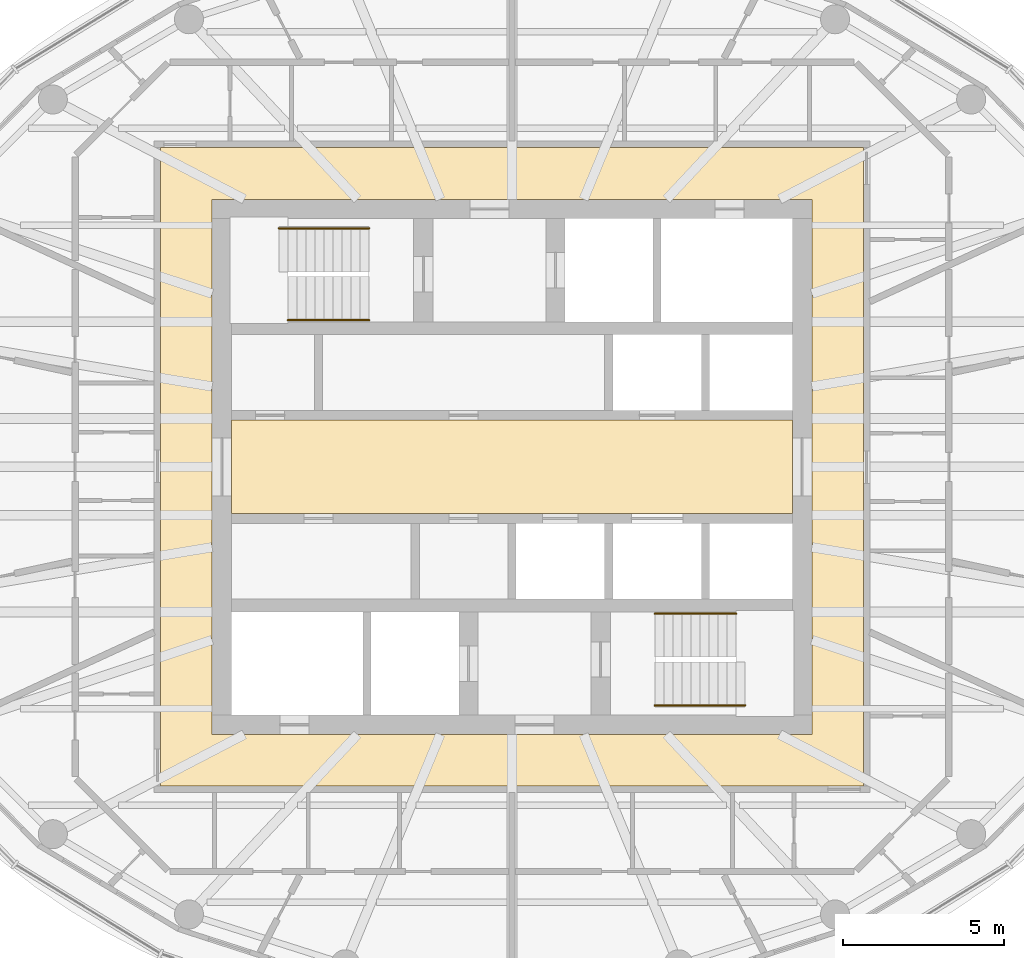
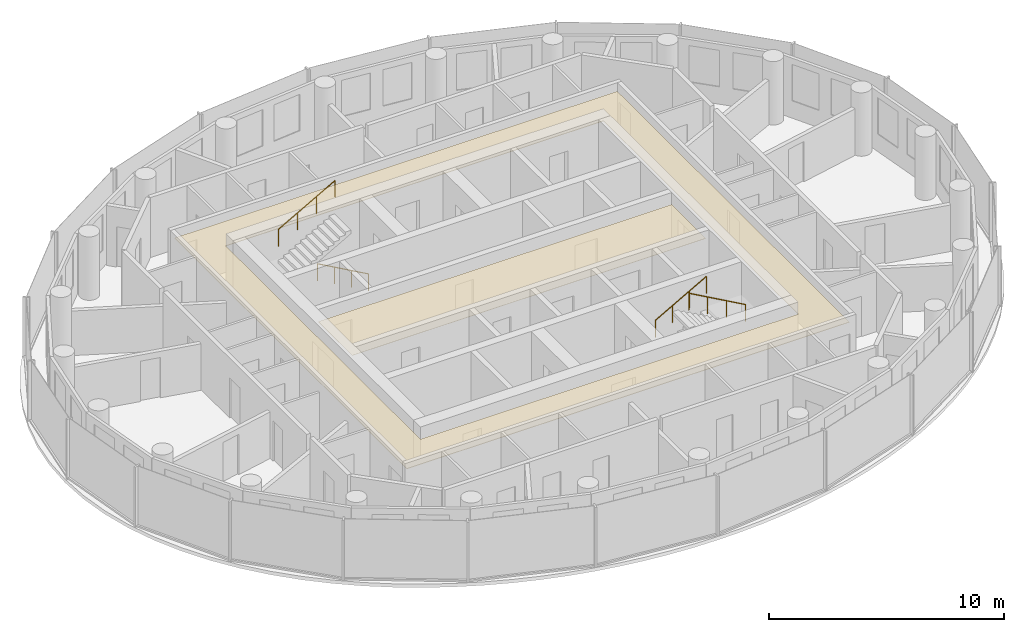
# One storey, part 11 of 11: 4 railings, 2 coverings.
"""IFC4 building model written with IfcOpenShell, lengths in metres."""

from ifc_helpers import new_model, si_unit, direction, frame, origin, origin_2d, place, context, subcontext, project, spatial, polyline, circle, outline, extrude, material, layer, layer_set, type_object, element, save


model = new_model("IFC4")

# Units and contexts
model_context = context("Model", 3, precision=1e-05, world=origin(), true_north=direction((0.0, 1.0)))
body_context = subcontext(model_context, "Body", "Model", "MODEL_VIEW")
ifc_project = project(units=[si_unit("LENGTHUNIT", "METRE"), si_unit("AREAUNIT", "SQUARE_METRE"), si_unit("VOLUMEUNIT", "CUBIC_METRE"), si_unit("PLANEANGLEUNIT", "RADIAN"), si_unit("MASSUNIT", "GRAM", prefix="KILO")], contexts=[model_context])

# Site, building, storey
site_placement = place(None, origin())
site = spatial("IfcSite", under=ifc_project, at=site_placement, CompositionType="ELEMENT")
building_placement = place(site_placement, origin())
building = spatial("IfcBuilding", under=site, at=building_placement, Name="Hankou Lantern Tower", CompositionType="ELEMENT")
storey_placement = place(building_placement, frame((0.0, 0.0, 225.89990234375)))
storey = spatial("IfcBuildingStorey", under=building, at=storey_placement, Name="L61", CompositionType="ELEMENT", Elevation=225.89990234375)

# Coverings
ifc_material_1 = material(Name="Black painted aluminium linear ceiling panels", Category="aluminium")
ifc_layer_1 = layer(ifc_material_1, 0.02490234375)
ifc_layer_set_1 = layer_set([ifc_layer_1], Name="Black painted aluminium linear ceiling panels")
covering_type_1 = type_object("IfcCoveringType", Name="CL1 CORRIDOR CEILING 25", PredefinedType="CEILING", material=ifc_layer_set_1)
covering_1_placement = place(storey_placement, frame((0.0, 0.0, 2.64501953125)))
element("IfcCovering", 1, at=covering_1_placement, inside=storey, type_object=covering_type_1, Name="Corridor ceiling L61", PredefinedType="CEILING", context=body_context, shape_type="SweptSolid", body=[
    extrude(outline(polyline([(-10.89990234375, -9.89990234375), (10.89990234375, -9.89990234375), (10.89990234375, 9.89990234375), (-10.89990234375, 9.89990234375), (-10.89990234375, -9.89990234375)]), holes=[polyline([(-9.300048828125, 8.300048828125), (9.300048828125, 8.300048828125), (9.300048828125, -8.300048828125), (-9.300048828125, -8.300048828125), (-9.300048828125, 8.300048828125)])]), origin(), (0.0, 0.0, 1.0), 0.025146484375),
])
ifc_material_2 = material(Name="Perforated black aluminium acoustic tray ceiling", Category="aluminium")
ifc_layer_2 = layer(ifc_material_2, 0.014892578125)
ifc_layer_set_2 = layer_set([ifc_layer_2], Name="Perforated black aluminium acoustic tray ceiling")
covering_type_2 = type_object("IfcCoveringType", Name="CL2 LIFT LOBBY CEILING 15", PredefinedType="CEILING", material=ifc_layer_set_2)
covering_2_placement = place(storey_placement, frame((0.0, 0.0, 2.655029296875)))
element("IfcCovering", 2, at=covering_2_placement, inside=storey, type_object=covering_type_2, Name="Lift lobby ceiling L61", PredefinedType="CEILING", context=body_context, shape_type="SweptSolid", body=[
    extrude(outline(polyline([(-8.699951171875, -1.449951171875), (8.699951171875, -1.449951171875), (8.699951171875, 1.449951171875), (-8.699951171875, 1.449951171875), (-8.699951171875, -1.449951171875)])), origin(), (0.0, 0.0, 1.0), 0.01513671875),
])

# Railings
ifc_material_3 = material(Name="Steel handrail", Category="steel")
railing_type = type_object("IfcRailingType", Name="HR1 STAIR HANDRAIL", PredefinedType="HANDRAIL", material=ifc_material_3)
railing_1_placement = place(storey_placement, frame((-4.429931640625, 4.550048828125, 0.900146484375)))
element("IfcRailing", 3, at=railing_1_placement, inside=storey, type_object=railing_type, Name="Handrail stair STA L61 flight 1", PredefinedType="HANDRAIL", context=body_context, shape_type="SweptSolid", body=[
    extrude(circle(Radius=0.02392578125, at=origin_2d()), frame((0.0, 0.0, 0.8759765625), z_axis=(-0.872048945198, 0.0, 0.489418672692), x_axis=(0.0, -1.0, 0.0)), (0.0, 0.0, 1.0), 2.8896484375),
    extrude(circle(Radius=0.02099609375, at=origin_2d()), origin(), (0.0, 0.0, 1.0), 0.851806640625),
    extrude(circle(Radius=0.02099609375, at=origin_2d()), frame((-0.840087890625, 0.0, 0.471435546875)), (0.0, 0.0, 1.0), 0.851806640625),
    extrude(circle(Radius=0.02099609375, at=origin_2d()), frame((-1.679931640625, 0.0, 0.94287109375)), (0.0, 0.0, 1.0), 0.851806640625),
    extrude(circle(Radius=0.02099609375, at=origin_2d()), frame((-2.52001953125, 0.0, 1.414306640625)), (0.0, 0.0, 1.0), 0.851806640625),
])
railing_2_placement = place(storey_placement, frame((-7.22998046875, 7.39990234375, 2.471435546875)))
element("IfcRailing", 4, at=railing_2_placement, inside=storey, type_object=railing_type, Name="Handrail stair STA L61 flight 2", PredefinedType="HANDRAIL", context=body_context, shape_type="SweptSolid", body=[
    extrude(circle(Radius=0.02392578125, at=origin_2d()), frame((0.0, 0.0, 0.8759765625), z_axis=(0.872040151574, 0.0, 0.489434340891), x_axis=(0.0, 1.0, 0.0)), (0.0, 0.0, 1.0), 3.2109375),
    extrude(circle(Radius=0.02099609375, at=origin_2d()), origin(), (0.0, 0.0, 1.0), 0.851806640625),
    extrude(circle(Radius=0.02099609375, at=origin_2d()), frame((0.933349609375, 0.0, 0.52392578125)), (0.0, 0.0, 1.0), 0.851806640625),
    extrude(circle(Radius=0.02099609375, at=origin_2d()), frame((1.86669921875, 0.0, 1.047607421875)), (0.0, 0.0, 1.0), 0.851806640625),
    extrude(circle(Radius=0.02099609375, at=origin_2d()), frame((2.800048828125, 0.0, 1.571533203125)), (0.0, 0.0, 1.0), 0.851806640625),
])
railing_3_placement = place(storey_placement, frame((4.429931640625, -4.550048828125, 0.900146484375)))
element("IfcRailing", 5, at=railing_3_placement, inside=storey, type_object=railing_type, Name="Handrail stair STB L61 flight 1", PredefinedType="HANDRAIL", context=body_context, shape_type="SweptSolid", body=[
    extrude(circle(Radius=0.02392578125, at=origin_2d()), frame((0.0, 0.0, 0.8759765625), z_axis=(0.872048945198, 0.0, 0.489418672692), x_axis=(0.0, 1.0, 0.0)), (0.0, 0.0, 1.0), 2.8896484375),
    extrude(circle(Radius=0.02099609375, at=origin_2d()), origin(), (0.0, 0.0, 1.0), 0.851806640625),
    extrude(circle(Radius=0.02099609375, at=origin_2d()), frame((0.840087890625, 0.0, 0.471435546875)), (0.0, 0.0, 1.0), 0.851806640625),
    extrude(circle(Radius=0.02099609375, at=origin_2d()), frame((1.679931640625, 0.0, 0.94287109375)), (0.0, 0.0, 1.0), 0.851806640625),
    extrude(circle(Radius=0.02099609375, at=origin_2d()), frame((2.52001953125, 0.0, 1.414306640625)), (0.0, 0.0, 1.0), 0.851806640625),
])
railing_4_placement = place(storey_placement, frame((7.22998046875, -7.39990234375, 2.471435546875)))
element("IfcRailing", 6, at=railing_4_placement, inside=storey, type_object=railing_type, Name="Handrail stair STB L61 flight 2", PredefinedType="HANDRAIL", context=body_context, shape_type="SweptSolid", body=[
    extrude(circle(Radius=0.02392578125, at=origin_2d()), frame((0.0, 0.0, 0.8759765625), z_axis=(-0.872040151574, 0.0, 0.489434340891), x_axis=(0.0, -1.0, 0.0)), (0.0, 0.0, 1.0), 3.2109375),
    extrude(circle(Radius=0.02099609375, at=origin_2d()), origin(), (0.0, 0.0, 1.0), 0.851806640625),
    extrude(circle(Radius=0.02099609375, at=origin_2d()), frame((-0.933349609375, 0.0, 0.52392578125)), (0.0, 0.0, 1.0), 0.851806640625),
    extrude(circle(Radius=0.02099609375, at=origin_2d()), frame((-1.86669921875, 0.0, 1.047607421875)), (0.0, 0.0, 1.0), 0.851806640625),
    extrude(circle(Radius=0.02099609375, at=origin_2d()), frame((-2.800048828125, 0.0, 1.571533203125)), (0.0, 0.0, 1.0), 0.851806640625),
])

save(model, "model.ifc")
